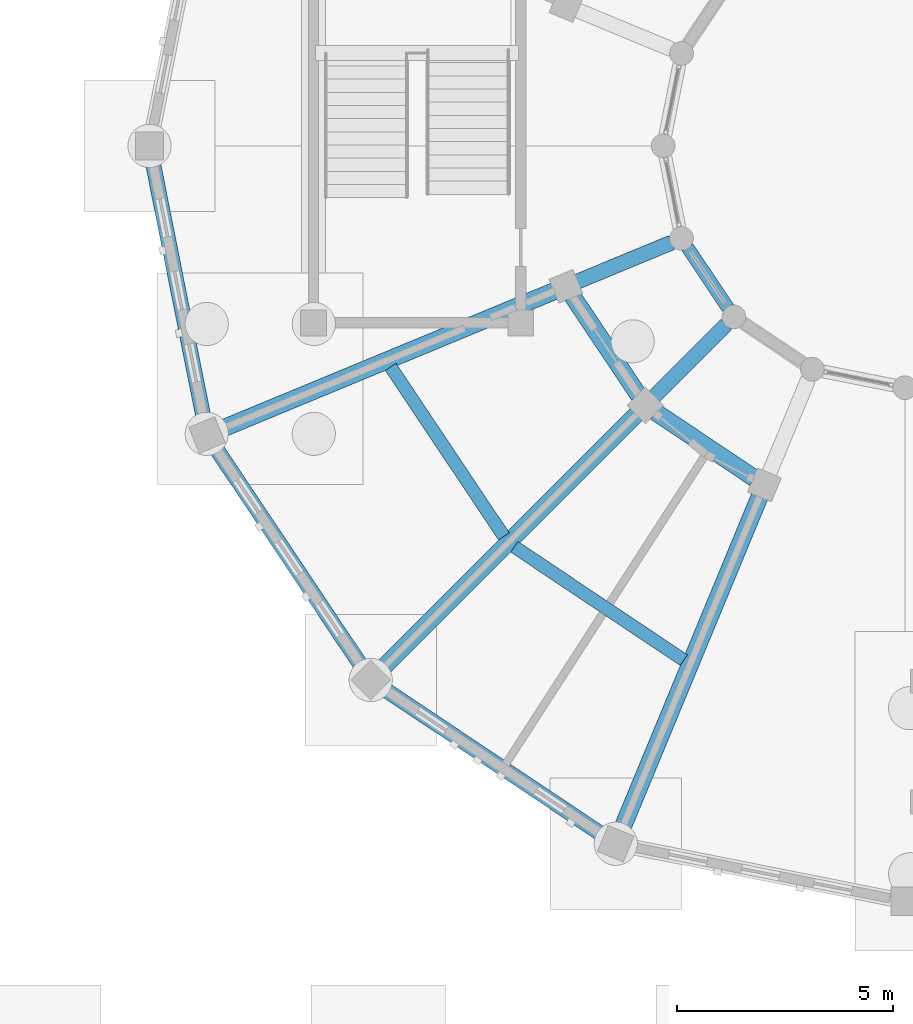
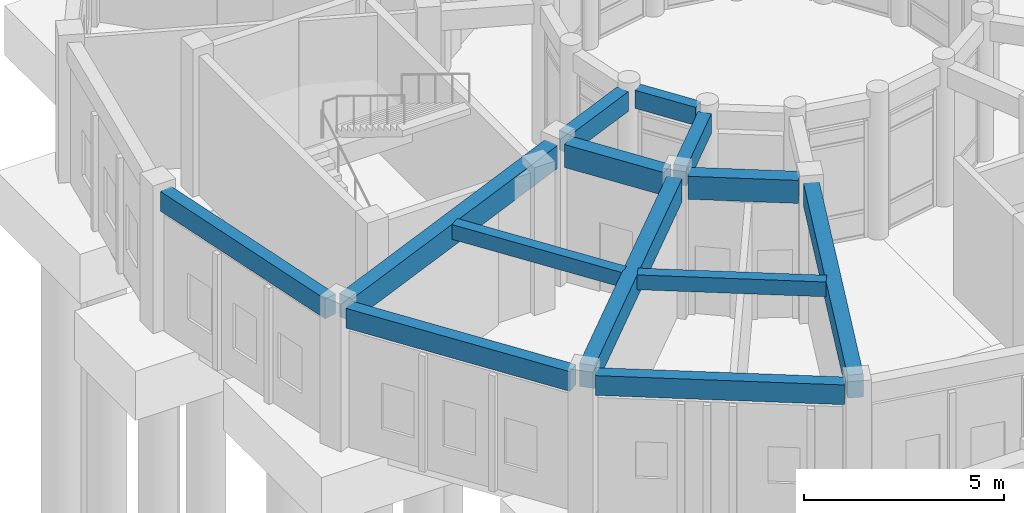
# One storey, part 59 of 153: 13 beams.
"""IFC4 building model written with IfcOpenShell, lengths in metres."""

from ifc_helpers import new_model, si_unit, direction, frame, origin, origin_2d, place, context, subcontext, project, spatial, rectangle, extrude, material, material_profile, profile_set, type_object, element, save


model = new_model("IFC4")

# Units and contexts
model_context = context("Model", 3, precision=1e-05, world=origin(), true_north=direction((0.0, 1.0)))
body_context = subcontext(model_context, "Body", "Model", "MODEL_VIEW")
ifc_project = project(units=[si_unit("LENGTHUNIT", "METRE"), si_unit("AREAUNIT", "SQUARE_METRE"), si_unit("VOLUMEUNIT", "CUBIC_METRE"), si_unit("PLANEANGLEUNIT", "RADIAN"), si_unit("MASSUNIT", "GRAM", prefix="KILO")], contexts=[model_context])

# Site, building, storey
site_placement = place(None, origin())
site = spatial("IfcSite", under=ifc_project, at=site_placement, CompositionType="ELEMENT")
building_placement = place(site_placement, origin())
building = spatial("IfcBuilding", under=site, at=building_placement, Name="Celadon Cloister-Ring School", CompositionType="ELEMENT")
storey_placement = place(building_placement, origin())
storey = spatial("IfcBuildingStorey", under=building, at=storey_placement, Name="L00", CompositionType="ELEMENT", Elevation=0.0)

# Beams
ifc_material_1 = material(Name="Concrete C35/45", Category="concrete")
ifc_material_profile_1 = material_profile(ifc_material_1, rectangle(XDim=0.35009765625, YDim=0.60009765625, at=origin_2d()), Name="RC350X600")
ifc_profile_set_1 = profile_set([ifc_material_profile_1], Name="Concrete C35/45")
beam_type_1 = type_object("IfcBeamType", Name="BT-02", PredefinedType="BEAM", material=ifc_profile_set_1)
beam_1_placement = place(storey_placement, frame((12.60107421875, 93.85205078125, 3.9599609375), z_axis=(0.92384765409, 0.382760384618, 0.0), x_axis=(-0.382760384618, 0.92384765409, 0.0)))
element("IfcBeam", 1, at=beam_1_placement, inside=storey, type_object=beam_type_1, Name="Beam 0602", PredefinedType="BEAM", context=body_context, shape_type="SweptSolid", body=[
    extrude(rectangle(XDim=0.35009765625, YDim=0.60009765625, at=origin_2d()), origin(), (0.0, 0.0, 1.0), 2.374755859375),
])
beam_2_placement = place(storey_placement, frame((14.384033203125, 91.18408203125, 3.9599609375), z_axis=(0.707106781187, 0.707106781187, 0.0), x_axis=(-0.707106781187, 0.707106781187, 0.0)))
element("IfcBeam", 2, at=beam_2_placement, inside=storey, type_object=beam_type_1, Name="Beam 0604", PredefinedType="BEAM", context=body_context, shape_type="SweptSolid", body=[
    extrude(rectangle(XDim=0.35009765625, YDim=0.60009765625, at=origin_2d()), origin(), (0.0, 0.0, 1.0), 2.37451171875),
])
ifc_material_2 = material(Name="Concrete C35/45", Category="concrete")
ifc_material_profile_2 = material_profile(ifc_material_2, rectangle(XDim=0.39990234375, YDim=0.699951171875, at=origin_2d()), Name="RC400X700")
ifc_profile_set_2 = profile_set([ifc_material_profile_2], Name="Concrete C35/45")
beam_type_2 = type_object("IfcBeamType", Name="GT-03", PredefinedType="USERDEFINED", material=ifc_profile_set_2)
beam_3_placement = place(storey_placement, frame((4.30908203125, 90.41796875, 3.909912109375), z_axis=(0.923883333463, 0.382674255927, 0.0), x_axis=(-0.382674255927, 0.923883333463, 0.0)))
element("IfcBeam", 3, at=beam_3_placement, inside=storey, type_object=beam_type_2, Name="Beam 0601", ObjectType="GIRDER", PredefinedType="USERDEFINED", context=body_context, shape_type="SweptSolid", body=[
    extrude(rectangle(XDim=0.39990234375, YDim=0.699951171875, at=origin_2d()), origin(), (0.0, 0.0, 1.0), 8.42529296875),
])
beam_4_placement = place(storey_placement, frame((8.0380859375, 84.837890625, 3.909912109375), z_axis=(0.707106781187, 0.707106781187, 0.0), x_axis=(-0.707106781187, 0.707106781187, 0.0)))
element("IfcBeam", 4, at=beam_4_placement, inside=storey, type_object=beam_type_2, Name="Beam 0603", ObjectType="GIRDER", PredefinedType="USERDEFINED", context=body_context, shape_type="SweptSolid", body=[
    extrude(rectangle(XDim=0.39990234375, YDim=0.699951171875, at=origin_2d()), origin(), (0.0, 0.0, 1.0), 8.42578125),
])
beam_5_placement = place(storey_placement, frame((13.617919921875, 81.10888671875, 3.909912109375), z_axis=(0.382664011358, 0.923887576717, 0.0), x_axis=(-0.923887576717, 0.382664011358, 0.0)))
element("IfcBeam", 5, at=beam_5_placement, inside=storey, type_object=beam_type_2, Name="Beam 0605", ObjectType="GIRDER", PredefinedType="USERDEFINED", context=body_context, shape_type="SweptSolid", body=[
    extrude(rectangle(XDim=0.39990234375, YDim=0.699951171875, at=origin_2d()), origin(), (0.0, 0.0, 1.0), 8.425537109375),
])
beam_6_placement = place(storey_placement, frame((12.5, 93.51806640625, 3.909912109375), z_axis=(0.555799794079, -0.83131617866, 0.0), x_axis=(0.83131617866, 0.555799794079, 0.0)))
element("IfcBeam", 6, at=beam_6_placement, inside=storey, type_object=beam_type_2, Name="Beam 0639", ObjectType="GIRDER", PredefinedType="USERDEFINED", context=body_context, shape_type="SweptSolid", body=[
    extrude(rectangle(XDim=0.39990234375, YDim=0.699951171875, at=origin_2d()), origin(), (0.0, 0.0, 1.0), 2.765625),
])
beam_7_placement = place(storey_placement, frame((14.4189453125, 90.8369140625, 3.909912109375), z_axis=(0.831356966973, -0.555738781682, 0.0), x_axis=(0.555738781682, 0.831356966973, 0.0)))
element("IfcBeam", 7, at=beam_7_placement, inside=storey, type_object=beam_type_2, Name="Beam 0643", ObjectType="GIRDER", PredefinedType="USERDEFINED", context=body_context, shape_type="SweptSolid", body=[
    extrude(rectangle(XDim=0.39990234375, YDim=0.699951171875, at=origin_2d()), origin(), (0.0, 0.0, 1.0), 2.765380859375),
])
ifc_material_3 = material(Name="Concrete C35/45", Category="concrete")
ifc_material_profile_3 = material_profile(ifc_material_3, rectangle(XDim=0.300048828125, YDim=0.449951171875, at=origin_2d()), Name="RC300X450")
ifc_profile_set_3 = profile_set([ifc_material_profile_3], Name="Concrete C35/45")
beam_type_3 = type_object("IfcBeamType", Name="JT-01", PredefinedType="JOIST", material=ifc_profile_set_3)
beam_8_placement = place(storey_placement, frame((8.287109375, 91.87890625, 4.034912109375), z_axis=(0.555761854047, -0.831341543282, 0.0), x_axis=(0.831341543282, 0.555761854047, 0.0)))
element("IfcBeam", 8, at=beam_8_placement, inside=storey, type_object=beam_type_3, Name="Beam 0641", PredefinedType="JOIST", context=body_context, shape_type="SweptSolid", body=[
    extrude(rectangle(XDim=0.300048828125, YDim=0.449951171875, at=origin_2d()), origin(), (0.0, 0.0, 1.0), 4.720947265625),
])
beam_9_placement = place(storey_placement, frame((11.154052734375, 87.7109375, 4.034912109375), z_axis=(0.831333623542, -0.55577370068, 0.0), x_axis=(0.55577370068, 0.831333623542, 0.0)))
element("IfcBeam", 9, at=beam_9_placement, inside=storey, type_object=beam_type_3, Name="Beam 0645", PredefinedType="JOIST", context=body_context, shape_type="SweptSolid", body=[
    extrude(rectangle(XDim=0.300048828125, YDim=0.449951171875, at=origin_2d()), origin(), (0.0, 0.0, 1.0), 4.721435546875),
])
ifc_material_4 = material(Name="Concrete C35/45", Category="concrete")
ifc_material_profile_4 = material_profile(ifc_material_4, rectangle(XDim=0.35009765625, YDim=0.60009765625, at=origin_2d()), Name="RC350X600")
ifc_profile_set_4 = profile_set([ifc_material_profile_4], Name="Concrete C35/45")
beam_type_4 = type_object("IfcBeamType", Name="SP-01", PredefinedType="SPANDREL", material=ifc_profile_set_4)
for number, where, z_axis, x_axis, name in (
    (10, (2.759033203125, 96.7060546875, 3.9599609375), (0.194887307107, -0.980825640738, 0.0), (0.980825640738, 0.194887307107, 0.0), "Beam 0636"),
    (11, (4.198974609375, 90.053955078125, 3.9599609375), (0.555514042993, -0.831507154531, 0.0), (0.831507154531, 0.555514042993, 0.0), "Beam 0638"),
    (12, (8.074951171875, 84.458984375, 3.9599609375), (0.831507154531, -0.555514042993, 0.0), (0.555514042993, 0.831507154531, 0.0), "Beam 0642"),
):
    element("IfcBeam", number, at=place(storey_placement, frame(where, z_axis=z_axis, x_axis=x_axis)), inside=storey, type_object=beam_type_4, Name=name, PredefinedType="SPANDREL", context=body_context, shape_type="SweptSolid", body=[
        extrude(rectangle(XDim=0.35009765625, YDim=0.60009765625, at=origin_2d()), origin(), (0.0, 0.0, 1.0), 6.228515625),
    ])
ifc_material_5 = material(Name="Concrete C35/45", Category="concrete")
ifc_material_profile_5 = material_profile(ifc_material_5, rectangle(XDim=0.300048828125, YDim=0.550048828125, at=origin_2d()), Name="RC300X550")
ifc_profile_set_5 = profile_set([ifc_material_profile_5], Name="Concrete C35/45")
beam_type_5 = type_object("IfcBeamType", Name="SP-02", PredefinedType="SPANDREL", material=ifc_profile_set_5)
beam_10_placement = place(storey_placement, frame((15.1650390625, 94.64892578125, 3.985107421875), z_axis=(0.555569328961, -0.831470216374, 0.0), x_axis=(0.831470216374, 0.555569328961, 0.0)))
element("IfcBeam", 13, at=beam_10_placement, inside=storey, type_object=beam_type_5, Name="Beam 0640", PredefinedType="SPANDREL", context=body_context, shape_type="SweptSolid", body=[
    extrude(rectangle(XDim=0.300048828125, YDim=0.550048828125, at=origin_2d()), origin(), (0.0, 0.0, 1.0), 1.684814453125),
])

save(model, "model.ifc")
